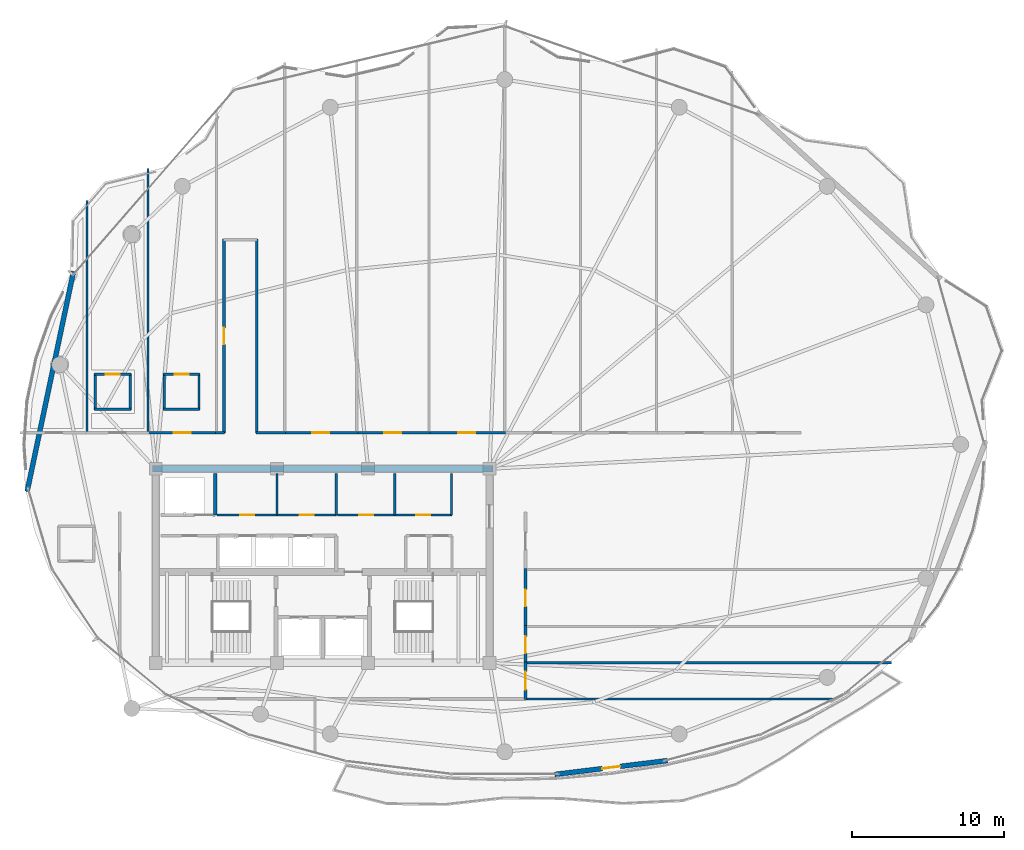
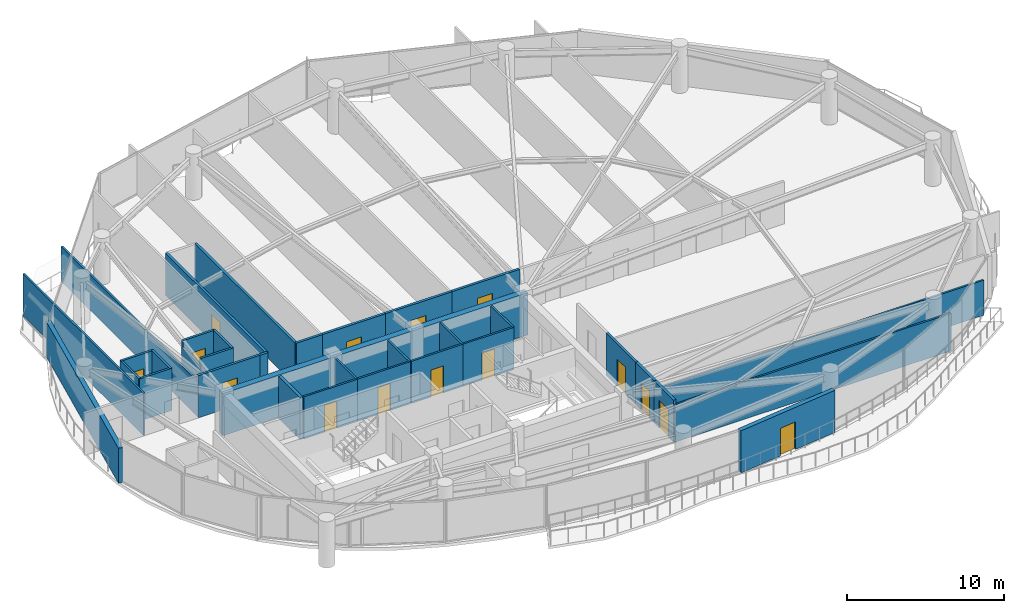
# One storey, part 24 of 29: 35 walls, 15 doors, 15 openings.
"""IFC4 building model written with IfcOpenShell, lengths in metres."""

from ifc_helpers import new_model, si_unit, direction, frame, frame_2d, origin, place, context, subcontext, project, spatial, rectangle, extrude, material, layer, layer_set, type_object, element, fill, save


model = new_model("IFC4")

# Units and contexts
model_context = context("Model", 3, precision=1e-05, world=origin(), true_north=direction((0.0, 1.0)))
body_context = subcontext(model_context, "Body", "Model", "MODEL_VIEW")
ifc_project = project(units=[si_unit("LENGTHUNIT", "METRE"), si_unit("AREAUNIT", "SQUARE_METRE"), si_unit("VOLUMEUNIT", "CUBIC_METRE"), si_unit("PLANEANGLEUNIT", "RADIAN"), si_unit("MASSUNIT", "GRAM", prefix="KILO")], contexts=[model_context])

# Site, building, storey
site_placement = place(None, origin())
site = spatial("IfcSite", under=ifc_project, at=site_placement, CompositionType="ELEMENT")
building_placement = place(site_placement, origin())
building = spatial("IfcBuilding", under=site, at=building_placement, Name="Kazevale Care Tower and Concert Hall", CompositionType="ELEMENT")
storey_placement = place(building_placement, frame((0.0, 0.0, 249.60009765625)))
storey = spatial("IfcBuildingStorey", under=building, at=storey_placement, Name="L66", CompositionType="ELEMENT", Elevation=249.60009765625)

# Wall, opening, door
ifc_material_1 = material(Name="Acoustic Gypsum on Steel Stud", Category="steel")
ifc_layer_1 = layer(ifc_material_1, 0.139892578125)
ifc_layer_set_1 = layer_set([ifc_layer_1], Name="Acoustic Gypsum on Steel Stud")
wall_type_1 = type_object("IfcWallType", Name="Acoustic Care & Suite Partition 140", PredefinedType="PARTITIONING", material=ifc_layer_set_1)
wall_1_placement = place(storey_placement, frame((26.050048828125, 33.35009765625, 0.0), z_axis=(0.0, 0.0, 1.0), x_axis=(1.0, 0.0, 0.0)))
wall_1 = element("IfcWall", 1, at=wall_1_placement, inside=storey, type_object=wall_type_1, Name="wall:L66:c_rpl1_s", PredefinedType="PARTITIONING", context=body_context, shape_type="SweptSolid", body=[
    extrude(rectangle(XDim=3.949951171875, YDim=0.139892578125, at=frame_2d((1.97509765625, 0.0))), origin(), (0.0, 0.0, 1.0), 3.27978515625),
])
opening_1_placement = place(wall_1_placement, frame((1.514892578125, 0.0, 0.0)))
opening_1 = element("IfcOpeningElement", 2, at=opening_1_placement, cuts=wall_1, Name="Opening ID-900", PredefinedType="OPENING", context=body_context, shape_type="SweptSolid", body=[
    extrude(rectangle(XDim=0.919921875, YDim=2.10009765625, at=frame_2d((0.4599609375, 1.050048828125))), frame((0.0, 0.079833984375, 0.0), z_axis=(0.0, -1.0, 0.0), x_axis=(1.0, 0.0, 0.0)), (0.0, 0.0, 1.0), 0.159912109375),
])
ifc_material_2 = material(Name="Oak Timber Fire Leaf", Category="wood")
door_type_1 = type_object("IfcDoorType", Name="Bathroom & Service Door 920x2100", OperationType="NOTDEFINED", PredefinedType="DOOR", material=ifc_material_2)
door_1_placement = place(opening_1_placement, origin())
door_1 = element("IfcDoor", 3, at=door_1_placement, inside=storey, type_object=door_type_1, Name="door:L66:d_rpl1", OperationType="SINGLE_SWING_LEFT", OverallHeight=2.10009765625, OverallWidth=0.919921875, PredefinedType="DOOR", context=body_context, shape_type="SweptSolid", body=[
    extrude(rectangle(XDim=0.919921875, YDim=2.10009765625, at=frame_2d((0.4599609375, 1.050048828125))), frame((0.0, 0.02490234375, 0.0), z_axis=(0.0, -1.0, 0.0), x_axis=(1.0, 0.0, 0.0)), (0.0, 0.0, 1.0), 0.050048828125),
])
fill(opening_1, door_1)

wall_2_placement = place(storey_placement, frame((30.0, 33.35009765625, 0.0), z_axis=(0.0, 0.0, 1.0), x_axis=(1.0, 0.0, 0.0)))
wall_2 = element("IfcWall", 4, at=wall_2_placement, inside=storey, type_object=wall_type_1, Name="wall:L66:c_rpl2_s", PredefinedType="PARTITIONING", context=body_context, shape_type="SweptSolid", body=[
    extrude(rectangle(XDim=3.919921875, YDim=0.139892578125, at=frame_2d((1.9599609375, 0.0))), origin(), (0.0, 0.0, 1.0), 3.27978515625),
])
opening_2_placement = place(wall_2_placement, frame((1.5, 0.0, 0.0)))
opening_2 = element("IfcOpeningElement", 5, at=opening_2_placement, cuts=wall_2, Name="Opening ID-900", PredefinedType="OPENING", context=body_context, shape_type="SweptSolid", body=[
    extrude(rectangle(XDim=0.919921875, YDim=2.10009765625, at=frame_2d((0.4599609375, 1.050048828125))), frame((0.0, 0.079833984375, 0.0), z_axis=(0.0, -1.0, 0.0), x_axis=(1.0, 0.0, 0.0)), (0.0, 0.0, 1.0), 0.159912109375),
])
door_2_placement = place(opening_2_placement, origin())
door_2 = element("IfcDoor", 6, at=door_2_placement, inside=storey, type_object=door_type_1, Name="door:L66:d_rpl2", OperationType="SINGLE_SWING_RIGHT", OverallHeight=2.10009765625, OverallWidth=0.919921875, PredefinedType="DOOR", context=body_context, shape_type="SweptSolid", body=[
    extrude(rectangle(XDim=0.919921875, YDim=2.10009765625, at=frame_2d((0.4599609375, 1.050048828125))), frame((0.0, 0.02490234375, 0.0), z_axis=(0.0, -1.0, 0.0), x_axis=(1.0, 0.0, 0.0)), (0.0, 0.0, 1.0), 0.050048828125),
])
fill(opening_2, door_2)

# Walls
for number, where, z_axis, x_axis, name in (
    (7, (30.0, 33.35009765625, 0.0), (0.0, 0.0, 1.0), (0.0, 1.0, 0.0), "wall:L66:c_rpl_m"),
    (8, (33.89990234375, 33.35009765625, 0.0), (0.0, 0.0, 1.0), (0.0, 1.0, 0.0), "wall:L66:c_rpl_e"),
):
    element("IfcWall", number, at=place(storey_placement, frame(where, z_axis=z_axis, x_axis=x_axis)), inside=storey, type_object=wall_type_1, Name=name, PredefinedType="PARTITIONING", context=body_context, shape_type="SweptSolid", body=[
        extrude(rectangle(XDim=2.75, YDim=0.139892578125, at=frame_2d((1.375, 0.0))), origin(), (0.0, 0.0, 1.0), 3.27978515625),
    ])

# Wall, opening, door
wall_3_placement = place(storey_placement, frame((33.97998046875, 33.35009765625, 0.0), z_axis=(0.0, 0.0, 1.0), x_axis=(1.0, 0.0, 0.0)))
wall_3 = element("IfcWall", 9, at=wall_3_placement, inside=storey, type_object=wall_type_1, Name="wall:L66:c_rpm1_s", PredefinedType="PARTITIONING", context=body_context, shape_type="SweptSolid", body=[
    extrude(rectangle(XDim=3.77001953125, YDim=0.139892578125, at=frame_2d((1.885009765625, 0.0))), origin(), (0.0, 0.0, 1.0), 3.27978515625),
])
opening_3_placement = place(wall_3_placement, frame((1.425048828125, 0.0, 0.0)))
opening_3 = element("IfcOpeningElement", 10, at=opening_3_placement, cuts=wall_3, Name="Opening ID-900", PredefinedType="OPENING", context=body_context, shape_type="SweptSolid", body=[
    extrude(rectangle(XDim=0.919921875, YDim=2.10009765625, at=frame_2d((0.4599609375, 1.050048828125))), frame((0.0, 0.079833984375, 0.0), z_axis=(0.0, -1.0, 0.0), x_axis=(1.0, 0.0, 0.0)), (0.0, 0.0, 1.0), 0.159912109375),
])
door_3_placement = place(opening_3_placement, origin())
door_3 = element("IfcDoor", 11, at=door_3_placement, inside=storey, type_object=door_type_1, Name="door:L66:d_rpm1", OperationType="SINGLE_SWING_LEFT", OverallHeight=2.10009765625, OverallWidth=0.919921875, PredefinedType="DOOR", context=body_context, shape_type="SweptSolid", body=[
    extrude(rectangle(XDim=0.919921875, YDim=2.10009765625, at=frame_2d((0.4599609375, 1.050048828125))), frame((0.0, 0.02490234375, 0.0), z_axis=(0.0, -1.0, 0.0), x_axis=(1.0, 0.0, 0.0)), (0.0, 0.0, 1.0), 0.050048828125),
])
fill(opening_3, door_3)

wall_4_placement = place(storey_placement, frame((37.75, 33.35009765625, 0.0), z_axis=(0.0, 0.0, 1.0), x_axis=(1.0, 0.0, 0.0)))
wall_4 = element("IfcWall", 12, at=wall_4_placement, inside=storey, type_object=wall_type_1, Name="wall:L66:c_rpm2_s", PredefinedType="PARTITIONING", context=body_context, shape_type="SweptSolid", body=[
    extrude(rectangle(XDim=3.77001953125, YDim=0.139892578125, at=frame_2d((1.885009765625, 0.0))), origin(), (0.0, 0.0, 1.0), 3.27978515625),
])
opening_4_placement = place(wall_4_placement, frame((1.425048828125, 0.0, 0.0)))
opening_4 = element("IfcOpeningElement", 13, at=opening_4_placement, cuts=wall_4, Name="Opening ID-900", PredefinedType="OPENING", context=body_context, shape_type="SweptSolid", body=[
    extrude(rectangle(XDim=0.919921875, YDim=2.10009765625, at=frame_2d((0.4599609375, 1.050048828125))), frame((0.0, 0.079833984375, 0.0), z_axis=(0.0, -1.0, 0.0), x_axis=(1.0, 0.0, 0.0)), (0.0, 0.0, 1.0), 0.159912109375),
])
door_4_placement = place(opening_4_placement, origin())
door_4 = element("IfcDoor", 14, at=door_4_placement, inside=storey, type_object=door_type_1, Name="door:L66:d_rpm2", OperationType="SINGLE_SWING_RIGHT", OverallHeight=2.10009765625, OverallWidth=0.919921875, PredefinedType="DOOR", context=body_context, shape_type="SweptSolid", body=[
    extrude(rectangle(XDim=0.919921875, YDim=2.10009765625, at=frame_2d((0.4599609375, 1.050048828125))), frame((0.0, 0.02490234375, 0.0), z_axis=(0.0, -1.0, 0.0), x_axis=(1.0, 0.0, 0.0)), (0.0, 0.0, 1.0), 0.050048828125),
])
fill(opening_4, door_4)

# Walls
for number, where, z_axis, x_axis, name in (
    (15, (37.75, 33.35009765625, 0.0), (0.0, 0.0, 1.0), (0.0, 1.0, 0.0), "wall:L66:c_rpm_m"),
    (16, (41.5, 33.35009765625, 0.0), (0.0, 0.0, 1.0), (0.0, 1.0, 0.0), "wall:L66:c_rpm_e"),
):
    element("IfcWall", number, at=place(storey_placement, frame(where, z_axis=z_axis, x_axis=x_axis)), inside=storey, type_object=wall_type_1, Name=name, PredefinedType="PARTITIONING", context=body_context, shape_type="SweptSolid", body=[
        extrude(rectangle(XDim=2.75, YDim=0.139892578125, at=frame_2d((1.375, 0.0))), origin(), (0.0, 0.0, 1.0), 3.27978515625),
    ])
wall_5_placement = place(storey_placement, frame((17.469970703125, 54.08203125, 0.0), z_axis=(0.0, 0.0, 1.0), x_axis=(0.0, -1.0, 0.0)))
element("IfcWall", 17, at=wall_5_placement, inside=storey, type_object=wall_type_1, Name="wall:L66:auto_023", PredefinedType="PARTITIONING", context=body_context, shape_type="SweptSolid", body=[
    extrude(rectangle(XDim=15.3369140625, YDim=0.139892578125, at=frame_2d((7.66845703125, 0.0))), origin(), (0.0, 0.0, 1.0), 3.27978515625),
])
wall_6_placement = place(storey_placement, frame((21.5, 56.193115234375, 0.0), z_axis=(0.0, 0.0, 1.0), x_axis=(0.0, -1.0, 0.0)))
element("IfcWall", 18, at=wall_6_placement, inside=storey, type_object=wall_type_1, Name="wall:L66:auto_024", PredefinedType="PARTITIONING", context=body_context, shape_type="SweptSolid", body=[
    extrude(rectangle(XDim=17.447998046875, YDim=0.139892578125, at=frame_2d((8.72412109375, 0.0))), origin(), (0.0, 0.0, 1.0), 2.725830078125),
])
wall_7_placement = place(storey_placement, frame((46.344970703125, 23.610107421875, 0.0), z_axis=(0.0, 0.0, 1.0), x_axis=(1.0, 0.0, 0.0)))
element("IfcWall", 19, at=wall_7_placement, inside=storey, type_object=wall_type_1, Name="wall:L66:auto_033", PredefinedType="PARTITIONING", context=body_context, shape_type="SweptSolid", body=[
    extrude(rectangle(XDim=24.132080078125, YDim=0.139892578125, at=frame_2d((12.06591796875, 0.0))), origin(), (0.0, 0.0, 1.0), 2.725830078125),
])
wall_8_placement = place(storey_placement, frame((66.683837890625, 21.22509765625, 0.0), z_axis=(0.0, 0.0, 1.0), x_axis=(-1.0, 0.0, 0.0)))
element("IfcWall", 20, at=wall_8_placement, inside=storey, type_object=wall_type_1, Name="wall:L66:auto_034", PredefinedType="PARTITIONING", context=body_context, shape_type="SweptSolid", body=[
    extrude(rectangle(XDim=20.3388671875, YDim=0.139892578125, at=frame_2d((10.16943359375, 0.0))), origin(), (0.0, 0.0, 1.0), 2.916015625),
])
ifc_material_3 = material(Name="Concrete C50", Category="concrete")
ifc_layer_2 = layer(ifc_material_3, 0.449951171875)
ifc_layer_set_2 = layer_set([ifc_layer_2], Name="Concrete C50")
wall_type_2 = type_object("IfcWallType", Name="Core Shear Wall 450 C50", PredefinedType="SHEAR", material=ifc_layer_set_2)
wall_9_placement = place(storey_placement, frame((21.77490234375, 36.39990234375, 0.0), z_axis=(0.0, 0.0, 1.0), x_axis=(1.0, 0.0, 0.0)))
element("IfcWall", 21, at=wall_9_placement, inside=storey, type_object=wall_type_2, Name="wall:L66:core:N", PredefinedType="SHEAR", context=body_context, shape_type="SweptSolid", body=[
    extrude(rectangle(XDim=22.4501953125, YDim=0.449951171875, at=frame_2d((11.22509765625, 0.0))), origin(), (0.0, 0.0, 1.0), 3.27978515625),
])
ifc_material_4 = material(Name="Concrete C40", Category="concrete")
ifc_layer_3 = layer(ifc_material_4, 0.219970703125)
ifc_layer_set_3 = layer_set([ifc_layer_3], Name="Concrete C40")
wall_type_3 = type_object("IfcWallType", Name="Elevator Hoistway Shaft Wall 220", PredefinedType="SOLIDWALL", material=ifc_layer_set_3)
wall_10_placement = place(storey_placement, frame((25.919921875, 33.35009765625, 0.0), z_axis=(0.0, 0.0, 1.0), x_axis=(0.0, 1.0, 0.0)))
element("IfcWall", 22, at=wall_10_placement, inside=storey, type_object=wall_type_3, Name="wall:L66:c_svl_e", PredefinedType="SOLIDWALL", context=body_context, shape_type="SweptSolid", body=[
    extrude(rectangle(XDim=2.72998046875, YDim=0.219970703125, at=frame_2d((1.364990234375, 0.0))), origin(), (0.0, 0.0, 1.0), 3.27978515625),
])

# Wall, opening, door
ifc_material_5 = material(Name="Concrete C40 and Acoustic Gypsum", Category="concrete")
ifc_layer_4 = layer(ifc_material_5, 0.179931640625)
ifc_layer_set_4 = layer_set([ifc_layer_4], Name="Concrete C40 and Acoustic Gypsum")
wall_type_4 = type_object("IfcWallType", Name="Fire-Rated Corridor & Party Wall 180", PredefinedType="PARTITIONING", material=ifc_layer_set_4)
wall_11_placement = place(storey_placement, frame((21.43505859375, 38.77490234375, 0.0), z_axis=(0.0, 0.0, 1.0), x_axis=(1.0, 0.0, 0.0)))
wall_11 = element("IfcWall", 23, at=wall_11_placement, inside=storey, type_object=wall_type_4, Name="wall:L66:auto_003", PredefinedType="PARTITIONING", context=body_context, shape_type="SweptSolid", body=[
    extrude(rectangle(XDim=4.6298828125, YDim=0.179931640625, at=frame_2d((2.31494140625, 0.0))), origin(), (0.0, 0.0, 1.0), 3.27978515625),
])
opening_5_placement = place(wall_11_placement, frame((1.764892578125, 0.0, 0.0)))
opening_5 = element("IfcOpeningElement", 24, at=opening_5_placement, cuts=wall_11, Name="Opening ID-1100", PredefinedType="OPENING", context=body_context, shape_type="SweptSolid", body=[
    extrude(rectangle(XDim=1.10009765625, YDim=2.10009765625, at=frame_2d((0.550048828125, 1.050048828125))), frame((0.0, 0.099853515625, 0.0), z_axis=(0.0, -1.0, 0.0), x_axis=(1.0, 0.0, 0.0)), (0.0, 0.0, 1.0), 0.199951171875),
])
door_type_2 = type_object("IfcDoorType", Name="Care Bedroom Accessible Door 1100x2100", OperationType="NOTDEFINED", PredefinedType="DOOR", material=ifc_material_2)
door_5_placement = place(opening_5_placement, origin())
door_5 = element("IfcDoor", 25, at=door_5_placement, inside=storey, type_object=door_type_2, Name="door:L66:ad_003", OperationType="SINGLE_SWING_LEFT", OverallHeight=2.10009765625, OverallWidth=1.10009765625, PredefinedType="DOOR", context=body_context, shape_type="SweptSolid", body=[
    extrude(rectangle(XDim=1.10009765625, YDim=2.10009765625, at=frame_2d((0.550048828125, 1.050048828125))), frame((0.0, 0.02490234375, 0.0), z_axis=(0.0, -1.0, 0.0), x_axis=(1.0, 0.0, 0.0)), (0.0, 0.0, 1.0), 0.050048828125),
])
fill(opening_5, door_5)

wall_12_placement = place(storey_placement, frame((26.5, 38.7451171875, 0.0), z_axis=(0.0, 0.0, 1.0), x_axis=(0.0, 1.0, 0.0)))
wall_12 = element("IfcWall", 26, at=wall_12_placement, inside=storey, type_object=wall_type_4, Name="wall:L66:auto_004", PredefinedType="PARTITIONING", context=body_context, shape_type="SweptSolid", body=[
    extrude(rectangle(XDim=12.784912109375, YDim=0.179931640625, at=frame_2d((6.392578125, 0.0))), origin(), (0.0, 0.0, 1.0), 3.27978515625),
])
opening_6_placement = place(wall_12_placement, frame((5.843017578125, 0.0, 0.0)))
opening_6 = element("IfcOpeningElement", 27, at=opening_6_placement, cuts=wall_12, Name="Opening ID-1100", PredefinedType="OPENING", context=body_context, shape_type="SweptSolid", body=[
    extrude(rectangle(XDim=1.10009765625, YDim=2.10009765625, at=frame_2d((0.550048828125, 1.050048828125))), frame((0.0, 0.099853515625, 0.0), z_axis=(0.0, -1.0, 0.0), x_axis=(1.0, 0.0, 0.0)), (0.0, 0.0, 1.0), 0.199951171875),
])
door_6_placement = place(opening_6_placement, origin())
door_6 = element("IfcDoor", 28, at=door_6_placement, inside=storey, type_object=door_type_2, Name="door:L66:ad_004", OperationType="SINGLE_SWING_LEFT", OverallHeight=2.10009765625, OverallWidth=1.10009765625, PredefinedType="DOOR", context=body_context, shape_type="SweptSolid", body=[
    extrude(rectangle(XDim=1.10009765625, YDim=2.10009765625, at=frame_2d((0.550048828125, 1.050048828125))), frame((0.0, 0.02490234375, 0.0), z_axis=(0.0, -1.0, 0.0), x_axis=(1.0, 0.0, 0.0)), (0.0, 0.0, 1.0), 0.050048828125),
])
fill(opening_6, door_6)

# Walls
wall_13_placement = place(storey_placement, frame((28.64990234375, 51.530029296875, 0.0), z_axis=(0.0, 0.0, 1.0), x_axis=(0.0, -1.0, 0.0)))
element("IfcWall", 29, at=wall_13_placement, inside=storey, type_object=wall_type_4, Name="wall:L66:auto_005", PredefinedType="PARTITIONING", context=body_context, shape_type="SweptSolid", body=[
    extrude(rectangle(XDim=12.784912109375, YDim=0.179931640625, at=frame_2d((6.392578125, 0.0))), origin(), (0.0, 0.0, 1.0), 3.27978515625),
])
wall_14_placement = place(storey_placement, frame((28.6201171875, 38.77490234375, 0.0), z_axis=(0.0, 0.0, 1.0), x_axis=(1.0, 0.0, 0.0)))
element("IfcWall", 30, at=wall_14_placement, inside=storey, type_object=wall_type_4, Name="wall:L66:auto_007", PredefinedType="PARTITIONING", context=body_context, shape_type="SweptSolid", body=[
    extrude(rectangle(XDim=1.94482421875, YDim=0.179931640625, at=frame_2d((0.972412109375, 0.0))), origin(), (0.0, 0.0, 1.0), 3.27978515625),
])
wall_15_placement = place(storey_placement, frame((25.93505859375, 38.77490234375, 0.0), z_axis=(0.0, 0.0, 1.0), x_axis=(1.0, 0.0, 0.0)))
element("IfcWall", 31, at=wall_15_placement, inside=storey, type_object=wall_type_4, Name="wall:L66:auto_008", PredefinedType="PARTITIONING", context=body_context, shape_type="SweptSolid", body=[
    extrude(rectangle(XDim=0.594970703125, YDim=0.179931640625, at=frame_2d((0.29736328125, 0.0))), origin(), (0.0, 0.0, 1.0), 3.27978515625),
])

# Wall, opening, door
wall_16_placement = place(storey_placement, frame((30.43505859375, 38.77490234375, 0.0), z_axis=(0.0, 0.0, 1.0), x_axis=(1.0, 0.0, 0.0)))
wall_16 = element("IfcWall", 32, at=wall_16_placement, inside=storey, type_object=wall_type_4, Name="wall:L66:auto_009", PredefinedType="PARTITIONING", context=body_context, shape_type="SweptSolid", body=[
    extrude(rectangle(XDim=4.8798828125, YDim=0.179931640625, at=frame_2d((2.43994140625, 0.0))), origin(), (0.0, 0.0, 1.0), 3.27978515625),
])
opening_7_placement = place(wall_16_placement, frame((1.889892578125, 0.0, 0.0)))
opening_7 = element("IfcOpeningElement", 33, at=opening_7_placement, cuts=wall_16, Name="Opening ID-1100", PredefinedType="OPENING", context=body_context, shape_type="SweptSolid", body=[
    extrude(rectangle(XDim=1.10009765625, YDim=2.10009765625, at=frame_2d((0.550048828125, 1.050048828125))), frame((0.0, 0.099853515625, 0.0), z_axis=(0.0, -1.0, 0.0), x_axis=(1.0, 0.0, 0.0)), (0.0, 0.0, 1.0), 0.199951171875),
])
door_7_placement = place(opening_7_placement, origin())
door_7 = element("IfcDoor", 34, at=door_7_placement, inside=storey, type_object=door_type_2, Name="door:L66:ad_009", OperationType="SINGLE_SWING_LEFT", OverallHeight=2.10009765625, OverallWidth=1.10009765625, PredefinedType="DOOR", context=body_context, shape_type="SweptSolid", body=[
    extrude(rectangle(XDim=1.10009765625, YDim=2.10009765625, at=frame_2d((0.550048828125, 1.050048828125))), frame((0.0, 0.02490234375, 0.0), z_axis=(0.0, -1.0, 0.0), x_axis=(1.0, 0.0, 0.0)), (0.0, 0.0, 1.0), 0.050048828125),
])
fill(opening_7, door_7)

wall_17_placement = place(storey_placement, frame((35.18505859375, 38.77490234375, 0.0), z_axis=(0.0, 0.0, 1.0), x_axis=(1.0, 0.0, 0.0)))
wall_17 = element("IfcWall", 35, at=wall_17_placement, inside=storey, type_object=wall_type_4, Name="wall:L66:auto_010", PredefinedType="PARTITIONING", context=body_context, shape_type="SweptSolid", body=[
    extrude(rectangle(XDim=4.8798828125, YDim=0.179931640625, at=frame_2d((2.43994140625, 0.0))), origin(), (0.0, 0.0, 1.0), 3.27978515625),
])
opening_8_placement = place(wall_17_placement, frame((1.889892578125, 0.0, 0.0)))
opening_8 = element("IfcOpeningElement", 36, at=opening_8_placement, cuts=wall_17, Name="Opening ID-1100", PredefinedType="OPENING", context=body_context, shape_type="SweptSolid", body=[
    extrude(rectangle(XDim=1.10009765625, YDim=2.10009765625, at=frame_2d((0.550048828125, 1.050048828125))), frame((0.0, 0.099853515625, 0.0), z_axis=(0.0, -1.0, 0.0), x_axis=(1.0, 0.0, 0.0)), (0.0, 0.0, 1.0), 0.199951171875),
])
door_8_placement = place(opening_8_placement, origin())
door_8 = element("IfcDoor", 37, at=door_8_placement, inside=storey, type_object=door_type_2, Name="door:L66:ad_010", OperationType="SINGLE_SWING_LEFT", OverallHeight=2.10009765625, OverallWidth=1.10009765625, PredefinedType="DOOR", context=body_context, shape_type="SweptSolid", body=[
    extrude(rectangle(XDim=1.10009765625, YDim=2.10009765625, at=frame_2d((0.550048828125, 1.050048828125))), frame((0.0, 0.02490234375, 0.0), z_axis=(0.0, -1.0, 0.0), x_axis=(1.0, 0.0, 0.0)), (0.0, 0.0, 1.0), 0.050048828125),
])
fill(opening_8, door_8)

wall_18_placement = place(storey_placement, frame((39.93505859375, 38.77490234375, 0.0), z_axis=(0.0, 0.0, 1.0), x_axis=(1.0, 0.0, 0.0)))
wall_18 = element("IfcWall", 38, at=wall_18_placement, inside=storey, type_object=wall_type_4, Name="wall:L66:auto_011", PredefinedType="PARTITIONING", context=body_context, shape_type="SweptSolid", body=[
    extrude(rectangle(XDim=5.1298828125, YDim=0.179931640625, at=frame_2d((2.56494140625, 0.0))), origin(), (0.0, 0.0, 1.0), 3.27978515625),
])
opening_9_placement = place(wall_18_placement, frame((2.014892578125, 0.0, 0.0)))
opening_9 = element("IfcOpeningElement", 39, at=opening_9_placement, cuts=wall_18, Name="Opening ID-1100", PredefinedType="OPENING", context=body_context, shape_type="SweptSolid", body=[
    extrude(rectangle(XDim=1.10009765625, YDim=2.10009765625, at=frame_2d((0.550048828125, 1.050048828125))), frame((0.0, 0.099853515625, 0.0), z_axis=(0.0, -1.0, 0.0), x_axis=(1.0, 0.0, 0.0)), (0.0, 0.0, 1.0), 0.199951171875),
])
door_9_placement = place(opening_9_placement, origin())
door_9 = element("IfcDoor", 40, at=door_9_placement, inside=storey, type_object=door_type_2, Name="door:L66:ad_011", OperationType="SINGLE_SWING_LEFT", OverallHeight=2.10009765625, OverallWidth=1.10009765625, PredefinedType="DOOR", context=body_context, shape_type="SweptSolid", body=[
    extrude(rectangle(XDim=1.10009765625, YDim=2.10009765625, at=frame_2d((0.550048828125, 1.050048828125))), frame((0.0, 0.02490234375, 0.0), z_axis=(0.0, -1.0, 0.0), x_axis=(1.0, 0.0, 0.0)), (0.0, 0.0, 1.0), 0.050048828125),
])
fill(opening_9, door_9)

wall_19_placement = place(storey_placement, frame((46.375, 23.675048828125, 0.0), z_axis=(0.0, 0.0, 1.0), x_axis=(0.0, -1.0, 0.0)))
wall_19 = element("IfcWall", 41, at=wall_19_placement, inside=storey, type_object=wall_type_4, Name="wall:L66:auto_016", PredefinedType="PARTITIONING", context=body_context, shape_type="SweptSolid", body=[
    extrude(rectangle(XDim=2.47998046875, YDim=0.179931640625, at=frame_2d((1.239990234375, 0.0))), origin(), (0.0, 0.0, 1.0), 3.27978515625),
])
opening_10_placement = place(wall_19_placement, frame((0.639892578125, 0.0, 0.0)))
opening_10 = element("IfcOpeningElement", 42, at=opening_10_placement, cuts=wall_19, Name="Opening ID-1200", PredefinedType="OPENING", context=body_context, shape_type="SweptSolid", body=[
    extrude(rectangle(XDim=1.199951171875, YDim=2.14990234375, at=frame_2d((0.60009765625, 1.074951171875))), frame((0.0, 0.099853515625, 0.0), z_axis=(0.0, -1.0, 0.0), x_axis=(1.0, 0.0, 0.0)), (0.0, 0.0, 1.0), 0.199951171875),
])
door_type_3 = type_object("IfcDoorType", Name="Clinical & Therapy Door 1200x2150", OperationType="NOTDEFINED", PredefinedType="DOOR", material=ifc_material_2)
door_10_placement = place(opening_10_placement, origin())
door_10 = element("IfcDoor", 43, at=door_10_placement, inside=storey, type_object=door_type_3, Name="door:L66:ad_016", OperationType="SINGLE_SWING_LEFT", OverallHeight=2.14990234375, OverallWidth=1.199951171875, PredefinedType="DOOR", context=body_context, shape_type="SweptSolid", body=[
    extrude(rectangle(XDim=1.199951171875, YDim=2.14990234375, at=frame_2d((0.60009765625, 1.074951171875))), frame((0.0, 0.02490234375, 0.0), z_axis=(0.0, -1.0, 0.0), x_axis=(1.0, 0.0, 0.0)), (0.0, 0.0, 1.0), 0.050048828125),
])
fill(opening_10, door_10)

wall_20_placement = place(storey_placement, frame((46.375, 26.06494140625, 0.0), z_axis=(0.0, 0.0, 1.0), x_axis=(0.0, -1.0, 0.0)))
wall_20 = element("IfcWall", 44, at=wall_20_placement, inside=storey, type_object=wall_type_4, Name="wall:L66:auto_017", PredefinedType="PARTITIONING", context=body_context, shape_type="SweptSolid", body=[
    extrude(rectangle(XDim=2.52001953125, YDim=0.179931640625, at=frame_2d((1.260009765625, 0.0))), origin(), (0.0, 0.0, 1.0), 3.27978515625),
])
opening_11_placement = place(wall_20_placement, frame((0.7099609375, 0.0, 0.0)))
opening_11 = element("IfcOpeningElement", 45, at=opening_11_placement, cuts=wall_20, Name="Opening ID-1100", PredefinedType="OPENING", context=body_context, shape_type="SweptSolid", body=[
    extrude(rectangle(XDim=1.10009765625, YDim=2.10009765625, at=frame_2d((0.550048828125, 1.050048828125))), frame((0.0, 0.099853515625, 0.0), z_axis=(0.0, -1.0, 0.0), x_axis=(1.0, 0.0, 0.0)), (0.0, 0.0, 1.0), 0.199951171875),
])
door_11_placement = place(opening_11_placement, origin())
door_11 = element("IfcDoor", 46, at=door_11_placement, inside=storey, type_object=door_type_2, Name="door:L66:ad_017", OperationType="SINGLE_SWING_LEFT", OverallHeight=2.10009765625, OverallWidth=1.10009765625, PredefinedType="DOOR", context=body_context, shape_type="SweptSolid", body=[
    extrude(rectangle(XDim=1.10009765625, YDim=2.10009765625, at=frame_2d((0.550048828125, 1.050048828125))), frame((0.0, 0.02490234375, 0.0), z_axis=(0.0, -1.0, 0.0), x_axis=(1.0, 0.0, 0.0)), (0.0, 0.0, 1.0), 0.050048828125),
])
fill(opening_11, door_11)

wall_21_placement = place(storey_placement, frame((46.375, 29.81494140625, 0.0), z_axis=(0.0, 0.0, 1.0), x_axis=(0.0, -1.0, 0.0)))
wall_21 = element("IfcWall", 47, at=wall_21_placement, inside=storey, type_object=wall_type_4, Name="wall:L66:auto_018", PredefinedType="PARTITIONING", context=body_context, shape_type="SweptSolid", body=[
    extrude(rectangle(XDim=3.8798828125, YDim=0.179931640625, at=frame_2d((1.93994140625, 0.0))), origin(), (0.0, 0.0, 1.0), 3.27978515625),
])
opening_12_placement = place(wall_21_placement, frame((1.389892578125, 0.0, 0.0)))
opening_12 = element("IfcOpeningElement", 48, at=opening_12_placement, cuts=wall_21, Name="Opening ID-1100", PredefinedType="OPENING", context=body_context, shape_type="SweptSolid", body=[
    extrude(rectangle(XDim=1.10009765625, YDim=2.10009765625, at=frame_2d((0.550048828125, 1.050048828125))), frame((0.0, 0.099853515625, 0.0), z_axis=(0.0, -1.0, 0.0), x_axis=(1.0, 0.0, 0.0)), (0.0, 0.0, 1.0), 0.199951171875),
])
door_12_placement = place(opening_12_placement, origin())
door_12 = element("IfcDoor", 49, at=door_12_placement, inside=storey, type_object=door_type_2, Name="door:L66:ad_018", OperationType="SINGLE_SWING_LEFT", OverallHeight=2.10009765625, OverallWidth=1.10009765625, PredefinedType="DOOR", context=body_context, shape_type="SweptSolid", body=[
    extrude(rectangle(XDim=1.10009765625, YDim=2.10009765625, at=frame_2d((0.550048828125, 1.050048828125))), frame((0.0, 0.02490234375, 0.0), z_axis=(0.0, -1.0, 0.0), x_axis=(1.0, 0.0, 0.0)), (0.0, 0.0, 1.0), 0.050048828125),
])
fill(opening_12, door_12)

# Wall
ifc_layer_5 = layer(ifc_material_1, 0.159912109375)
ifc_layer_set_5 = layer_set([ifc_layer_5], Name="Acoustic Gypsum on Steel Stud")
wall_type_5 = type_object("IfcWallType", Name="Moisture-Resistant Bathroom Plumbing Wall 160", PredefinedType="PLUMBINGWALL", material=ifc_layer_set_5)
wall_22_placement = place(storey_placement, frame((17.97998046875, 40.324951171875, 0.0), z_axis=(0.0, 0.0, 1.0), x_axis=(1.0, 0.0, 0.0)))
element("IfcWall", 50, at=wall_22_placement, inside=storey, type_object=wall_type_5, Name="wall:L66:nb1b_ens_ws", PredefinedType="PLUMBINGWALL", context=body_context, shape_type="SweptSolid", body=[
    extrude(rectangle(XDim=2.380126953125, YDim=0.159912109375, at=frame_2d((1.18994140625, 0.0))), origin(), (0.0, 0.0, 1.0), 3.27978515625),
])

# Wall, opening, door
wall_23_placement = place(storey_placement, frame((17.97998046875, 42.625, 0.0), z_axis=(0.0, 0.0, 1.0), x_axis=(1.0, 0.0, 0.0)))
wall_23 = element("IfcWall", 51, at=wall_23_placement, inside=storey, type_object=wall_type_5, Name="wall:L66:nb1b_ens_wn", PredefinedType="PLUMBINGWALL", context=body_context, shape_type="SweptSolid", body=[
    extrude(rectangle(XDim=2.380126953125, YDim=0.159912109375, at=frame_2d((1.18994140625, 0.0))), origin(), (0.0, 0.0, 1.0), 3.27978515625),
])
opening_13_placement = place(wall_23_placement, frame((0.739990234375, 0.0, 0.0)))
opening_13 = element("IfcOpeningElement", 52, at=opening_13_placement, cuts=wall_23, Name="Opening ID-900", PredefinedType="OPENING", context=body_context, shape_type="SweptSolid", body=[
    extrude(rectangle(XDim=0.919921875, YDim=2.10009765625, at=frame_2d((0.4599609375, 1.050048828125))), frame((0.0, 0.08984375, 0.0), z_axis=(0.0, -1.0, 0.0), x_axis=(1.0, 0.0, 0.0)), (0.0, 0.0, 1.0), 0.179931640625),
])
door_13_placement = place(opening_13_placement, origin())
door_13 = element("IfcDoor", 53, at=door_13_placement, inside=storey, type_object=door_type_1, Name="door:L66:nb1b_ens_d", OperationType="SINGLE_SWING_LEFT", OverallHeight=2.10009765625, OverallWidth=0.919921875, PredefinedType="DOOR", context=body_context, shape_type="SweptSolid", body=[
    extrude(rectangle(XDim=0.919921875, YDim=2.10009765625, at=frame_2d((0.4599609375, 1.050048828125))), frame((0.0, 0.02490234375, 0.0), z_axis=(0.0, -1.0, 0.0), x_axis=(1.0, 0.0, 0.0)), (0.0, 0.0, 1.0), 0.050048828125),
])
fill(opening_13, door_13)

# Walls
for number, where, z_axis, x_axis, name in (
    (54, (18.02001953125, 40.284912109375, 0.0), (0.0, 0.0, 1.0), (0.0, 1.0, 0.0), "wall:L66:nb1b_ens_ww"),
    (55, (20.320068359375, 40.284912109375, 0.0), (0.0, 0.0, 1.0), (0.0, 1.0, 0.0), "wall:L66:nb1b_ens_we"),
):
    element("IfcWall", number, at=place(storey_placement, frame(where, z_axis=z_axis, x_axis=x_axis)), inside=storey, type_object=wall_type_5, Name=name, PredefinedType="PLUMBINGWALL", context=body_context, shape_type="SweptSolid", body=[
        extrude(rectangle(XDim=2.380126953125, YDim=0.159912109375, at=frame_2d((1.18994140625, 0.0))), origin(), (0.0, 0.0, 1.0), 3.27978515625),
    ])
wall_24_placement = place(storey_placement, frame((22.510009765625, 40.324951171875, 0.0), z_axis=(0.0, 0.0, 1.0), x_axis=(1.0, 0.0, 0.0)))
element("IfcWall", 56, at=wall_24_placement, inside=storey, type_object=wall_type_5, Name="wall:L66:nb2a_ens_ws", PredefinedType="PLUMBINGWALL", context=body_context, shape_type="SweptSolid", body=[
    extrude(rectangle(XDim=2.3798828125, YDim=0.159912109375, at=frame_2d((1.18994140625, 0.0))), origin(), (0.0, 0.0, 1.0), 3.27978515625),
])

# Wall, opening, door
wall_25_placement = place(storey_placement, frame((22.510009765625, 42.625, 0.0), z_axis=(0.0, 0.0, 1.0), x_axis=(1.0, 0.0, 0.0)))
wall_25 = element("IfcWall", 57, at=wall_25_placement, inside=storey, type_object=wall_type_5, Name="wall:L66:nb2a_ens_wn", PredefinedType="PLUMBINGWALL", context=body_context, shape_type="SweptSolid", body=[
    extrude(rectangle(XDim=2.3798828125, YDim=0.159912109375, at=frame_2d((1.18994140625, 0.0))), origin(), (0.0, 0.0, 1.0), 3.27978515625),
])
opening_14_placement = place(wall_25_placement, frame((0.739990234375, 0.0, 0.0)))
opening_14 = element("IfcOpeningElement", 58, at=opening_14_placement, cuts=wall_25, Name="Opening ID-900", PredefinedType="OPENING", context=body_context, shape_type="SweptSolid", body=[
    extrude(rectangle(XDim=0.919921875, YDim=2.10009765625, at=frame_2d((0.4599609375, 1.050048828125))), frame((0.0, 0.08984375, 0.0), z_axis=(0.0, -1.0, 0.0), x_axis=(1.0, 0.0, 0.0)), (0.0, 0.0, 1.0), 0.179931640625),
])
door_14_placement = place(opening_14_placement, origin())
door_14 = element("IfcDoor", 59, at=door_14_placement, inside=storey, type_object=door_type_1, Name="door:L66:nb2a_ens_d", OperationType="SINGLE_SWING_RIGHT", OverallHeight=2.10009765625, OverallWidth=0.919921875, PredefinedType="DOOR", context=body_context, shape_type="SweptSolid", body=[
    extrude(rectangle(XDim=0.919921875, YDim=2.10009765625, at=frame_2d((0.4599609375, 1.050048828125))), frame((0.0, 0.02490234375, 0.0), z_axis=(0.0, -1.0, 0.0), x_axis=(1.0, 0.0, 0.0)), (0.0, 0.0, 1.0), 0.050048828125),
])
fill(opening_14, door_14)

# Walls
wall_26_placement = place(storey_placement, frame((22.550048828125, 40.284912109375, 0.0), z_axis=(0.0, 0.0, 1.0), x_axis=(0.0, 1.0, 0.0)))
element("IfcWall", 60, at=wall_26_placement, inside=storey, type_object=wall_type_5, Name="wall:L66:nb2a_ens_ww", PredefinedType="PLUMBINGWALL", context=body_context, shape_type="SweptSolid", body=[
    extrude(rectangle(XDim=2.380126953125, YDim=0.159912109375, at=frame_2d((1.18994140625, 0.0))), origin(), (0.0, 0.0, 1.0), 2.725830078125),
])
wall_27_placement = place(storey_placement, frame((24.85009765625, 40.284912109375, 0.0), z_axis=(0.0, 0.0, 1.0), x_axis=(0.0, 1.0, 0.0)))
element("IfcWall", 61, at=wall_27_placement, inside=storey, type_object=wall_type_5, Name="wall:L66:nb2a_ens_we", PredefinedType="PLUMBINGWALL", context=body_context, shape_type="SweptSolid", body=[
    extrude(rectangle(XDim=2.380126953125, YDim=0.159912109375, at=frame_2d((1.18994140625, 0.0))), origin(), (0.0, 0.0, 1.0), 3.27978515625),
])

# Wall, opening, door
ifc_material_6 = material(Name="Concrete C40 with Honed Limestone Cladding", Category="masonry")
ifc_layer_6 = layer(ifc_material_6, 0.320068359375)
ifc_layer_set_6 = layer_set([ifc_layer_6], Name="Concrete C40 with Honed Limestone Cladding")
wall_type_6 = type_object("IfcWallType", Name="Tower Honed Limestone Spandrel Wall 320", PredefinedType="STANDARD", material=ifc_layer_set_6)
wall_28_placement = place(storey_placement, frame((55.72705078125, 17.1650390625, 0.0), z_axis=(0.0, 0.0, 1.0), x_axis=(-0.992559081031, -0.121763995755, 0.0)))
wall_28 = element("IfcWall", 62, at=wall_28_placement, inside=storey, type_object=wall_type_6, Name="wall:L66:bal_host", PredefinedType="STANDARD", context=body_context, shape_type="SweptSolid", body=[
    extrude(rectangle(XDim=7.49072265625, YDim=0.320068359375, at=frame_2d((3.745361328125, 0.0))), origin(), (0.0, 0.0, 1.0), 3.27978515625),
])
opening_15_placement = place(wall_28_placement, frame((3.14501953125, 0.0, 0.0)))
opening_15 = element("IfcOpeningElement", 63, at=opening_15_placement, cuts=wall_28, Name="Opening BD-1200", PredefinedType="OPENING", context=body_context, shape_type="SweptSolid", body=[
    extrude(rectangle(XDim=1.199951171875, YDim=2.14990234375, at=frame_2d((0.60009765625, 1.074951171875))), frame((0.0, 0.169921875, 0.0), z_axis=(0.0, -1.0, 0.0), x_axis=(1.0, 0.0, 0.0)), (0.0, 0.0, 1.0), 0.340087890625),
])
ifc_material_7 = material(Name="Aluminium 6063-T6 and Low-E Glass", Category="aluminium")
door_type_4 = type_object("IfcDoorType", Name="Sheltered Balcony Glazed Door 1200x2150", OperationType="NOTDEFINED", PredefinedType="DOOR", material=ifc_material_7)
door_15_placement = place(opening_15_placement, origin())
door_15 = element("IfcDoor", 64, at=door_15_placement, inside=storey, type_object=door_type_4, Name="door:L66:BD-1", OperationType="SINGLE_SWING_LEFT", OverallHeight=2.14990234375, OverallWidth=1.199951171875, PredefinedType="DOOR", context=body_context, shape_type="SweptSolid", body=[
    extrude(rectangle(XDim=1.199951171875, YDim=2.14990234375, at=frame_2d((0.60009765625, 1.074951171875))), frame((0.0, 0.02490234375, 0.0), z_axis=(0.0, -1.0, 0.0), x_axis=(1.0, 0.0, 0.0)), (0.0, 0.0, 1.0), 0.050048828125),
])
fill(opening_15, door_15)

# Wall
wall_29_placement = place(storey_placement, frame((13.52490234375, 34.903076171875, 0.0), z_axis=(0.0, 0.0, 1.0), x_axis=(0.206301080321, 0.978488561128, 0.0)))
element("IfcWall", 65, at=wall_29_placement, inside=storey, type_object=wall_type_6, Name="wall:cw:L66:f13", PredefinedType="STANDARD", context=body_context, shape_type="SweptSolid", body=[
    extrude(rectangle(XDim=14.81884765625, YDim=0.320068359375, at=frame_2d((7.409423828125, 0.0))), origin(), (0.0, 0.0, 1.0), 2.725830078125),
])

save(model, "model.ifc")
